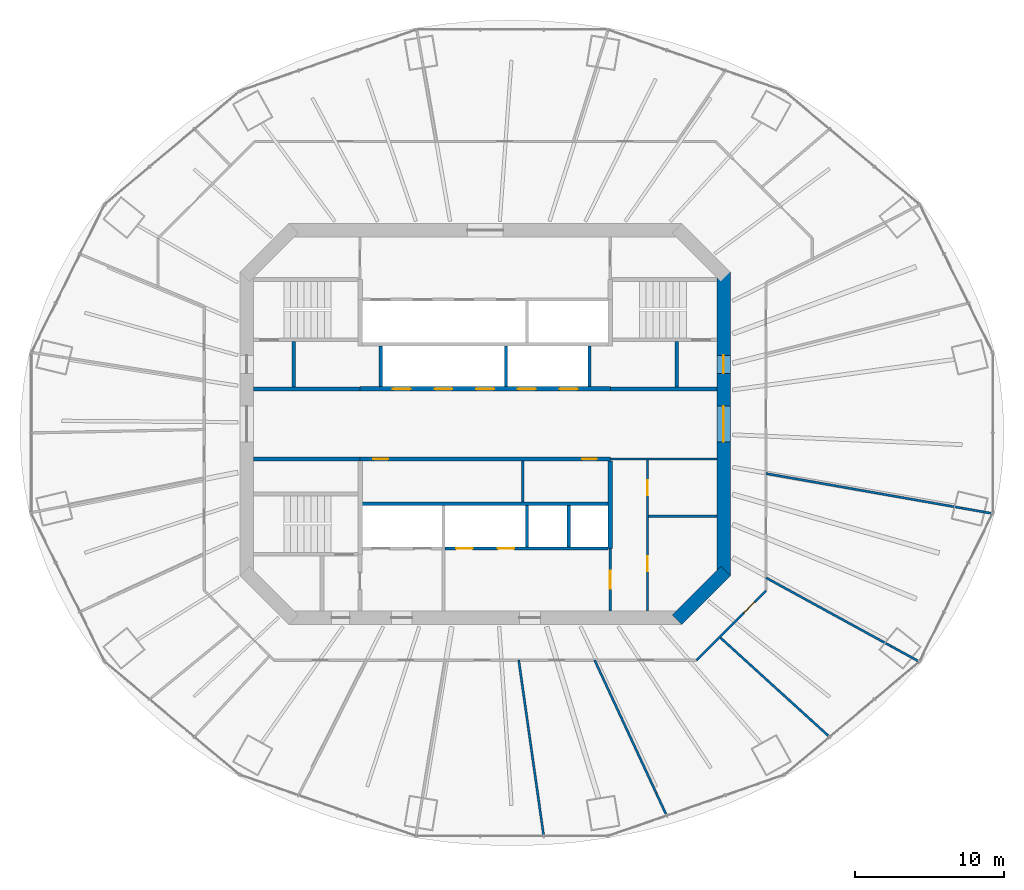
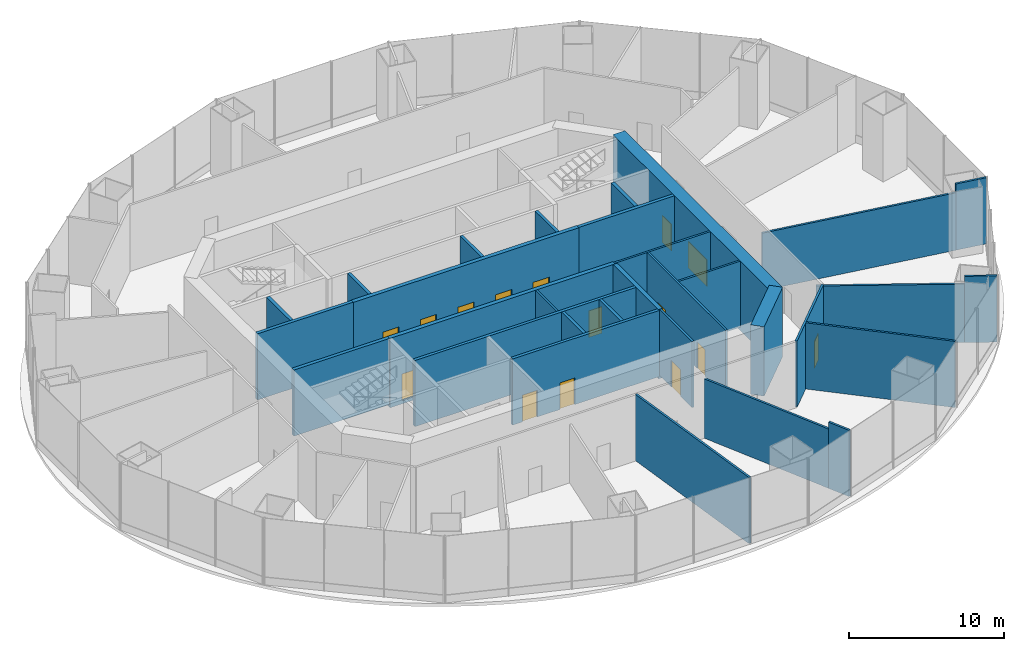
# One storey, part 12 of 15: 31 walls, 15 doors, 15 openings.
"""IFC4 building model written with IfcOpenShell, lengths in metres."""

from ifc_helpers import new_model, si_unit, direction, frame, frame_2d, origin, place, context, subcontext, project, spatial, rectangle, extrude, material, layer, layer_set, type_object, element, fill, save


model = new_model("IFC4")

# Units and contexts
model_context = context("Model", 3, precision=1e-05, world=origin(), true_north=direction((0.0, 1.0)))
body_context = subcontext(model_context, "Body", "Model", "MODEL_VIEW")
ifc_project = project(units=[si_unit("LENGTHUNIT", "METRE"), si_unit("AREAUNIT", "SQUARE_METRE"), si_unit("VOLUMEUNIT", "CUBIC_METRE"), si_unit("PLANEANGLEUNIT", "RADIAN"), si_unit("MASSUNIT", "GRAM", prefix="KILO")], contexts=[model_context])

# Site, building, storey
site_placement = place(None, origin())
site = spatial("IfcSite", under=ifc_project, at=site_placement, CompositionType="ELEMENT")
building_placement = place(site_placement, origin())
building = spatial("IfcBuilding", under=site, at=building_placement, Name="Marenthal Gate Tower", CompositionType="ELEMENT")
storey_placement = place(building_placement, frame((0.0, 0.0, 155.64990234375)))
storey = spatial("IfcBuildingStorey", under=building, at=storey_placement, Name="L33", CompositionType="ELEMENT", Elevation=155.64990234375)

# Wall
ifc_material_1 = material(Name="Concrete 60 MPa", Category="concrete")
ifc_layer_1 = layer(ifc_material_1, 0.89990234375)
ifc_layer_set_1 = layer_set([ifc_layer_1], Name="Core shear wall 900")
wall_type_1 = type_object("IfcWallType", Name="Core shear wall 900", PredefinedType="SHEAR", material=ifc_layer_set_1)
wall_1_placement = place(storey_placement, frame((12.8681640625, -13.1318359375, -0.25), z_axis=(0.0, 0.0, 1.0), x_axis=(0.707106781187, 0.707106781187, 0.0)))
element("IfcWall", 1, at=wall_1_placement, inside=storey, type_object=wall_type_1, Name="Core wall 01", PredefinedType="SHEAR", context=body_context, shape_type="SweptSolid", body=[
    extrude(rectangle(XDim=4.615478515625, YDim=0.89990234375, at=frame_2d((2.3076171875, 0.0))), origin(), (0.0, 0.0, 1.0), 5.47021484375),
])

# Wall, openings, doors
wall_2_placement = place(storey_placement, frame((16.0, -10.186279296875, -0.25), z_axis=(0.0, 0.0, 1.0), x_axis=(0.0, 1.0, 0.0)))
wall_2 = element("IfcWall", 2, at=wall_2_placement, inside=storey, type_object=wall_type_1, Name="Core wall 02", PredefinedType="SHEAR", context=body_context, shape_type="SweptSolid", body=[
    extrude(rectangle(XDim=20.37255859375, YDim=0.89990234375, at=frame_2d((10.186279296875, 0.0))), origin(), (0.0, 0.0, 1.0), 5.47021484375),
])
opening_1_placement = place(wall_2_placement, frame((8.986328125, 0.0, 0.25)))
opening_1 = element("IfcOpeningElement", 3, at=opening_1_placement, cuts=wall_2, Name="Opening D003.02", PredefinedType="OPENING", context=body_context, shape_type="SweptSolid", body=[
    extrude(rectangle(XDim=2.39990234375, YDim=2.10009765625, at=frame_2d((1.199951171875, 1.050048828125))), frame((0.0, 0.4599609375, 0.0), z_axis=(0.0, -1.0, 0.0), x_axis=(1.0, 0.0, 0.0)), (0.0, 0.0, 1.0), 0.919921875),
])
opening_2_placement = place(wall_2_placement, frame((13.58642578125, 0.0, 0.25)))
opening_2 = element("IfcOpeningElement", 4, at=opening_2_placement, cuts=wall_2, Name="Opening D001.05", PredefinedType="OPENING", context=body_context, shape_type="SweptSolid", body=[
    extrude(rectangle(XDim=1.199951171875, YDim=2.10009765625, at=frame_2d((0.60009765625, 1.050048828125))), frame((0.0, 0.4599609375, 0.0), z_axis=(0.0, -1.0, 0.0), x_axis=(1.0, 0.0, 0.0)), (0.0, 0.0, 1.0), 0.919921875),
])
ifc_material_2 = material(Name="Steel fire door", Category="steel")
door_type_1 = type_object("IfcDoorType", Name="Double fire door FD 45 2400 x 2100", OperationType="DOUBLE_DOOR_SINGLE_SWING", PredefinedType="DOOR", material=ifc_material_2)
door_1_placement = place(opening_1_placement, origin())
door_1 = element("IfcDoor", 5, at=door_1_placement, inside=storey, type_object=door_type_1, Name="Door D003.02", OperationType="DOUBLE_DOOR_SINGLE_SWING", OverallHeight=2.10009765625, OverallWidth=2.39990234375, PredefinedType="DOOR", context=body_context, shape_type="SweptSolid", body=[
    extrude(rectangle(XDim=2.39990234375, YDim=2.10009765625, at=frame_2d((1.199951171875, 1.050048828125))), frame((0.0, 0.02490234375, 0.0), z_axis=(0.0, -1.0, 0.0), x_axis=(1.0, 0.0, 0.0)), (0.0, 0.0, 1.0), 0.050048828125),
])
fill(opening_1, door_1)
ifc_material_3 = material(Name="Steel fire door", Category="steel")
door_type_2 = type_object("IfcDoorType", Name="Fire door FD 90 1200 x 2100", OperationType="NOTDEFINED", PredefinedType="DOOR", material=ifc_material_3)
door_2_placement = place(opening_2_placement, origin())
door_2 = element("IfcDoor", 6, at=door_2_placement, inside=storey, type_object=door_type_2, Name="Door D001.05", OperationType="SINGLE_SWING_RIGHT", OverallHeight=2.10009765625, OverallWidth=1.199951171875, PredefinedType="DOOR", context=body_context, shape_type="SweptSolid", body=[
    extrude(rectangle(XDim=1.199951171875, YDim=2.10009765625, at=frame_2d((0.60009765625, 1.050048828125))), frame((0.0, 0.02490234375, 0.0), z_axis=(0.0, -1.0, 0.0), x_axis=(1.0, 0.0, 0.0)), (0.0, 0.0, 1.0), 0.050048828125),
])
fill(opening_2, door_2)

ifc_material_4 = material(Name="Concrete 50 MPa", Category="concrete")
ifc_layer_2 = layer(ifc_material_4, 0.300048828125)
ifc_layer_set_2 = layer_set([ifc_layer_2], Name="Hoistway shear wall 300")
wall_type_2 = type_object("IfcWallType", Name="Hoistway shear wall 300", PredefinedType="SHEAR", material=ifc_layer_set_2)
wall_3_placement = place(storey_placement, frame((-8.39990234375, -2.35009765625, -0.25), z_axis=(0.0, 0.0, 1.0), x_axis=(1.0, 0.0, 0.0)))
wall_3 = element("IfcWall", 7, at=wall_3_placement, inside=storey, type_object=wall_type_2, Name="Hoistway wall 16", PredefinedType="SHEAR", context=body_context, shape_type="SweptSolid", body=[
    extrude(rectangle(XDim=16.7998046875, YDim=0.300048828125, at=frame_2d((8.39990234375, 0.0))), origin(), (0.0, 0.0, 1.0), 5.47021484375),
])
opening_3_placement = place(wall_3_placement, frame((0.89990234375, 0.0, 0.25)))
opening_3 = element("IfcOpeningElement", 8, at=opening_3_placement, cuts=wall_3, Name="Opening D005.01", PredefinedType="OPENING", context=body_context, shape_type="SweptSolid", body=[
    extrude(rectangle(XDim=1.0, YDim=2.10009765625, at=frame_2d((0.5, 1.050048828125))), frame((0.0, 0.16015625, 0.0), z_axis=(0.0, -1.0, 0.0), x_axis=(1.0, 0.0, 0.0)), (0.0, 0.0, 1.0), 0.320068359375),
])
opening_4_placement = place(wall_3_placement, frame((14.89990234375, 0.0, 0.25)))
opening_4 = element("IfcOpeningElement", 9, at=opening_4_placement, cuts=wall_3, Name="Opening D005.02", PredefinedType="OPENING", context=body_context, shape_type="SweptSolid", body=[
    extrude(rectangle(XDim=1.0, YDim=2.10009765625, at=frame_2d((0.5, 1.050048828125))), frame((0.0, 0.16015625, 0.0), z_axis=(0.0, -1.0, 0.0), x_axis=(1.0, 0.0, 0.0)), (0.0, 0.0, 1.0), 0.320068359375),
])
ifc_material_5 = material(Name="Steel fire door", Category="steel")
door_type_3 = type_object("IfcDoorType", Name="Fire door FD 45 1000 x 2100", OperationType="NOTDEFINED", PredefinedType="DOOR", material=ifc_material_5)
door_3_placement = place(opening_3_placement, frame((1.0, 0.0, 0.0), z_axis=(0.0, 0.0, 1.0), x_axis=(-1.0, 0.0, 0.0)))
door_3 = element("IfcDoor", 10, at=door_3_placement, inside=storey, type_object=door_type_3, Name="Door D005.01", OperationType="SINGLE_SWING_LEFT", OverallHeight=2.10009765625, OverallWidth=1.0, PredefinedType="DOOR", context=body_context, shape_type="SweptSolid", body=[
    extrude(rectangle(XDim=1.0, YDim=2.10009765625, at=frame_2d((0.5, 1.050048828125))), frame((0.0, 0.02490234375, 0.0), z_axis=(0.0, -1.0, 0.0), x_axis=(1.0, 0.0, 0.0)), (0.0, 0.0, 1.0), 0.050048828125),
])
fill(opening_3, door_3)
door_4_placement = place(opening_4_placement, frame((1.0, 0.0, 0.0), z_axis=(0.0, 0.0, 1.0), x_axis=(-1.0, 0.0, 0.0)))
door_4 = element("IfcDoor", 11, at=door_4_placement, inside=storey, type_object=door_type_3, Name="Door D005.02", OperationType="SINGLE_SWING_LEFT", OverallHeight=2.10009765625, OverallWidth=1.0, PredefinedType="DOOR", context=body_context, shape_type="SweptSolid", body=[
    extrude(rectangle(XDim=1.0, YDim=2.10009765625, at=frame_2d((0.5, 1.050048828125))), frame((0.0, 0.02490234375, 0.0), z_axis=(0.0, -1.0, 0.0), x_axis=(1.0, 0.0, 0.0)), (0.0, 0.0, 1.0), 0.050048828125),
])
fill(opening_4, door_4)

wall_4_placement = place(storey_placement, frame((-8.39990234375, 2.35009765625, -0.25), z_axis=(0.0, 0.0, 1.0), x_axis=(1.0, 0.0, 0.0)))
wall_4 = element("IfcWall", 12, at=wall_4_placement, inside=storey, type_object=wall_type_2, Name="Hoistway wall 19", PredefinedType="SHEAR", context=body_context, shape_type="SweptSolid", body=[
    extrude(rectangle(XDim=16.7998046875, YDim=0.300048828125, at=frame_2d((8.39990234375, 0.0))), origin(), (0.0, 0.0, 1.0), 5.47021484375),
])
opening_5_placement = place(wall_4_placement, frame((2.199951171875, 0.0, 0.25)))
opening_5 = element("IfcOpeningElement", 13, at=opening_5_placement, cuts=wall_4, Name="Opening LD-MP1", PredefinedType="OPENING", context=body_context, shape_type="SweptSolid", body=[
    extrude(rectangle(XDim=1.199951171875, YDim=2.10009765625, at=frame_2d((0.60009765625, 1.050048828125))), frame((0.0, 0.16015625, 0.0), z_axis=(0.0, -1.0, 0.0), x_axis=(1.0, 0.0, 0.0)), (0.0, 0.0, 1.0), 0.320068359375),
])
opening_6_placement = place(wall_4_placement, frame((5.0, 0.0, 0.25)))
opening_6 = element("IfcOpeningElement", 14, at=opening_6_placement, cuts=wall_4, Name="Opening LD-MP2", PredefinedType="OPENING", context=body_context, shape_type="SweptSolid", body=[
    extrude(rectangle(XDim=1.199951171875, YDim=2.10009765625, at=frame_2d((0.60009765625, 1.050048828125))), frame((0.0, 0.16015625, 0.0), z_axis=(0.0, -1.0, 0.0), x_axis=(1.0, 0.0, 0.0)), (0.0, 0.0, 1.0), 0.320068359375),
])
opening_7_placement = place(wall_4_placement, frame((7.800048828125, 0.0, 0.25)))
opening_7 = element("IfcOpeningElement", 15, at=opening_7_placement, cuts=wall_4, Name="Opening LD-MP3", PredefinedType="OPENING", context=body_context, shape_type="SweptSolid", body=[
    extrude(rectangle(XDim=1.199951171875, YDim=2.10009765625, at=frame_2d((0.60009765625, 1.050048828125))), frame((0.0, 0.16015625, 0.0), z_axis=(0.0, -1.0, 0.0), x_axis=(1.0, 0.0, 0.0)), (0.0, 0.0, 1.0), 0.320068359375),
])
opening_8_placement = place(wall_4_placement, frame((10.60009765625, 0.0, 0.25)))
opening_8 = element("IfcOpeningElement", 16, at=opening_8_placement, cuts=wall_4, Name="Opening LD-MP4", PredefinedType="OPENING", context=body_context, shape_type="SweptSolid", body=[
    extrude(rectangle(XDim=1.199951171875, YDim=2.10009765625, at=frame_2d((0.60009765625, 1.050048828125))), frame((0.0, 0.16015625, 0.0), z_axis=(0.0, -1.0, 0.0), x_axis=(1.0, 0.0, 0.0)), (0.0, 0.0, 1.0), 0.320068359375),
])
opening_9_placement = place(wall_4_placement, frame((13.39990234375, 0.0, 0.25)))
opening_9 = element("IfcOpeningElement", 17, at=opening_9_placement, cuts=wall_4, Name="Opening LD-MP5", PredefinedType="OPENING", context=body_context, shape_type="SweptSolid", body=[
    extrude(rectangle(XDim=1.199951171875, YDim=2.10009765625, at=frame_2d((0.60009765625, 1.050048828125))), frame((0.0, 0.16015625, 0.0), z_axis=(0.0, -1.0, 0.0), x_axis=(1.0, 0.0, 0.0)), (0.0, 0.0, 1.0), 0.320068359375),
])
ifc_material_6 = material(Name="Stainless steel sliding door", Category="steel")
door_type_4 = type_object("IfcDoorType", Name="Lift landing door FD 90 1200 x 2100", OperationType="DOUBLE_DOOR_SLIDING", PredefinedType="DOOR", material=ifc_material_6)
door_5_placement = place(opening_5_placement, origin())
door_5 = element("IfcDoor", 18, at=door_5_placement, inside=storey, type_object=door_type_4, Name="Lift landing door MP1", OperationType="DOUBLE_DOOR_SLIDING", OverallHeight=2.10009765625, OverallWidth=1.199951171875, PredefinedType="DOOR", context=body_context, shape_type="SweptSolid", body=[
    extrude(rectangle(XDim=1.199951171875, YDim=2.10009765625, at=frame_2d((0.60009765625, 1.050048828125))), frame((0.0, 0.02490234375, 0.0), z_axis=(0.0, -1.0, 0.0), x_axis=(1.0, 0.0, 0.0)), (0.0, 0.0, 1.0), 0.050048828125),
])
fill(opening_5, door_5)
door_6_placement = place(opening_6_placement, origin())
door_6 = element("IfcDoor", 19, at=door_6_placement, inside=storey, type_object=door_type_4, Name="Lift landing door MP2", OperationType="DOUBLE_DOOR_SLIDING", OverallHeight=2.10009765625, OverallWidth=1.199951171875, PredefinedType="DOOR", context=body_context, shape_type="SweptSolid", body=[
    extrude(rectangle(XDim=1.199951171875, YDim=2.10009765625, at=frame_2d((0.60009765625, 1.050048828125))), frame((0.0, 0.02490234375, 0.0), z_axis=(0.0, -1.0, 0.0), x_axis=(1.0, 0.0, 0.0)), (0.0, 0.0, 1.0), 0.050048828125),
])
fill(opening_6, door_6)
door_7_placement = place(opening_7_placement, origin())
door_7 = element("IfcDoor", 20, at=door_7_placement, inside=storey, type_object=door_type_4, Name="Lift landing door MP3", OperationType="DOUBLE_DOOR_SLIDING", OverallHeight=2.10009765625, OverallWidth=1.199951171875, PredefinedType="DOOR", context=body_context, shape_type="SweptSolid", body=[
    extrude(rectangle(XDim=1.199951171875, YDim=2.10009765625, at=frame_2d((0.60009765625, 1.050048828125))), frame((0.0, 0.02490234375, 0.0), z_axis=(0.0, -1.0, 0.0), x_axis=(1.0, 0.0, 0.0)), (0.0, 0.0, 1.0), 0.050048828125),
])
fill(opening_7, door_7)
door_8_placement = place(opening_8_placement, origin())
door_8 = element("IfcDoor", 21, at=door_8_placement, inside=storey, type_object=door_type_4, Name="Lift landing door MP4", OperationType="DOUBLE_DOOR_SLIDING", OverallHeight=2.10009765625, OverallWidth=1.199951171875, PredefinedType="DOOR", context=body_context, shape_type="SweptSolid", body=[
    extrude(rectangle(XDim=1.199951171875, YDim=2.10009765625, at=frame_2d((0.60009765625, 1.050048828125))), frame((0.0, 0.02490234375, 0.0), z_axis=(0.0, -1.0, 0.0), x_axis=(1.0, 0.0, 0.0)), (0.0, 0.0, 1.0), 0.050048828125),
])
fill(opening_8, door_8)
door_9_placement = place(opening_9_placement, origin())
door_9 = element("IfcDoor", 22, at=door_9_placement, inside=storey, type_object=door_type_4, Name="Lift landing door MP5", OperationType="DOUBLE_DOOR_SLIDING", OverallHeight=2.10009765625, OverallWidth=1.199951171875, PredefinedType="DOOR", context=body_context, shape_type="SweptSolid", body=[
    extrude(rectangle(XDim=1.199951171875, YDim=2.10009765625, at=frame_2d((0.60009765625, 1.050048828125))), frame((0.0, 0.02490234375, 0.0), z_axis=(0.0, -1.0, 0.0), x_axis=(1.0, 0.0, 0.0)), (0.0, 0.0, 1.0), 0.050048828125),
])
fill(opening_9, door_9)

# Wall
wall_5_placement = place(storey_placement, frame((8.39990234375, -8.35009765625, -0.25), z_axis=(0.0, 0.0, 1.0), x_axis=(0.0, 1.0, 0.0)))
element("IfcWall", 23, at=wall_5_placement, inside=storey, type_object=wall_type_2, Name="Hoistway wall 44", PredefinedType="SHEAR", context=body_context, shape_type="SweptSolid", body=[
    extrude(rectangle(XDim=5.85009765625, YDim=0.300048828125, at=frame_2d((2.925048828125, 0.0))), origin(), (0.0, 0.0, 1.0), 5.47021484375),
])

# Wall, openings, doors
ifc_material_7 = material(Name="Concrete 40 MPa", Category="concrete")
ifc_layer_3 = layer(ifc_material_7, 0.219970703125)
ifc_layer_set_3 = layer_set([ifc_layer_3], Name="Hoistway wall 220")
wall_type_3 = type_object("IfcWallType", Name="Hoistway wall 220", PredefinedType="STANDARD", material=ifc_layer_set_3)
wall_6_placement = place(storey_placement, frame((-2.68994140625, -8.35009765625, 0.0), z_axis=(0.0, 0.0, 1.0), x_axis=(1.0, 0.0, 0.0)))
wall_6 = element("IfcWall", 24, at=wall_6_placement, inside=storey, type_object=wall_type_3, Name="Hoistway wall 11", PredefinedType="STANDARD", context=body_context, shape_type="SweptSolid", body=[
    extrude(rectangle(XDim=10.93994140625, YDim=0.219970703125, at=frame_2d((5.469970703125, 0.0))), origin(), (0.0, 0.0, 1.0), 5.22021484375),
])
opening_10_placement = place(wall_6_placement, frame((0.739990234375, 0.0, 0.0)))
opening_10 = element("IfcOpeningElement", 25, at=opening_10_placement, cuts=wall_6, Name="Opening LD-SV1", PredefinedType="OPENING", context=body_context, shape_type="SweptSolid", body=[
    extrude(rectangle(XDim=1.10009765625, YDim=2.10009765625, at=frame_2d((0.550048828125, 1.050048828125))), frame((0.0, 0.1201171875, 0.0), z_axis=(0.0, -1.0, 0.0), x_axis=(1.0, 0.0, 0.0)), (0.0, 0.0, 1.0), 0.239990234375),
])
opening_11_placement = place(wall_6_placement, frame((3.5400390625, 0.0, 0.0)))
opening_11 = element("IfcOpeningElement", 26, at=opening_11_placement, cuts=wall_6, Name="Opening LD-SV2", PredefinedType="OPENING", context=body_context, shape_type="SweptSolid", body=[
    extrude(rectangle(XDim=1.10009765625, YDim=2.10009765625, at=frame_2d((0.550048828125, 1.050048828125))), frame((0.0, 0.1201171875, 0.0), z_axis=(0.0, -1.0, 0.0), x_axis=(1.0, 0.0, 0.0)), (0.0, 0.0, 1.0), 0.239990234375),
])
ifc_material_8 = material(Name="Stainless steel sliding door", Category="steel")
door_type_5 = type_object("IfcDoorType", Name="Lift landing door FD 90 1100 x 2100", OperationType="DOUBLE_DOOR_SLIDING", PredefinedType="DOOR", material=ifc_material_8)
door_10_placement = place(opening_10_placement, origin())
door_10 = element("IfcDoor", 27, at=door_10_placement, inside=storey, type_object=door_type_5, Name="Lift landing door SV1", OperationType="DOUBLE_DOOR_SLIDING", OverallHeight=2.10009765625, OverallWidth=1.10009765625, PredefinedType="DOOR", context=body_context, shape_type="SweptSolid", body=[
    extrude(rectangle(XDim=1.10009765625, YDim=2.10009765625, at=frame_2d((0.550048828125, 1.050048828125))), frame((0.0, 0.02490234375, 0.0), z_axis=(0.0, -1.0, 0.0), x_axis=(1.0, 0.0, 0.0)), (0.0, 0.0, 1.0), 0.050048828125),
])
fill(opening_10, door_10)
door_11_placement = place(opening_11_placement, origin())
door_11 = element("IfcDoor", 28, at=door_11_placement, inside=storey, type_object=door_type_5, Name="Lift landing door SV2", OperationType="DOUBLE_DOOR_SLIDING", OverallHeight=2.10009765625, OverallWidth=1.10009765625, PredefinedType="DOOR", context=body_context, shape_type="SweptSolid", body=[
    extrude(rectangle(XDim=1.10009765625, YDim=2.10009765625, at=frame_2d((0.550048828125, 1.050048828125))), frame((0.0, 0.02490234375, 0.0), z_axis=(0.0, -1.0, 0.0), x_axis=(1.0, 0.0, 0.0)), (0.0, 0.0, 1.0), 0.050048828125),
])
fill(opening_11, door_11)

# Walls
wall_7_placement = place(storey_placement, frame((-8.25, -5.35009765625, 0.0), z_axis=(0.0, 0.0, 1.0), x_axis=(1.0, 0.0, 0.0)))
element("IfcWall", 29, at=wall_7_placement, inside=storey, type_object=wall_type_3, Name="Hoistway wall 13", PredefinedType="STANDARD", context=body_context, shape_type="SweptSolid", body=[
    extrude(rectangle(XDim=16.5, YDim=0.219970703125, at=frame_2d((8.25, 0.0))), origin(), (0.0, 0.0, 1.0), 5.22021484375),
])
for number, where, z_axis, x_axis, name in (
    (30, (-7.0, 2.5, 0.0), (0.0, 0.0, 1.0), (0.0, 1.0, 0.0), "Hoistway wall 34"),
    (31, (1.39990234375, 2.5, 0.0), (0.0, 0.0, 1.0), (0.0, 1.0, 0.0), "Hoistway wall 37"),
):
    element("IfcWall", number, at=place(storey_placement, frame(where, z_axis=z_axis, x_axis=x_axis)), inside=storey, type_object=wall_type_3, Name=name, PredefinedType="STANDARD", context=body_context, shape_type="SweptSolid", body=[
        extrude(rectangle(XDim=2.739990234375, YDim=0.219970703125, at=frame_2d((1.3701171875, 0.0))), origin(), (0.0, 0.0, 1.0), 5.22021484375),
    ])
for number, where, z_axis, x_axis, name in (
    (32, (2.800048828125, -8.239990234375, 0.0), (0.0, 0.0, 1.0), (0.0, 1.0, 0.0), "Hoistway wall 39"),
    (33, (5.60009765625, -8.239990234375, 0.0), (0.0, 0.0, 1.0), (0.0, 1.0, 0.0), "Hoistway wall 41"),
):
    element("IfcWall", number, at=place(storey_placement, frame(where, z_axis=z_axis, x_axis=x_axis)), inside=storey, type_object=wall_type_3, Name=name, PredefinedType="STANDARD", context=body_context, shape_type="SweptSolid", body=[
        extrude(rectangle(XDim=2.780029296875, YDim=0.219970703125, at=frame_2d((1.39013671875, 0.0))), origin(), (0.0, 0.0, 1.0), 5.22021484375),
    ])
wall_8_placement = place(storey_placement, frame((7.0, 2.5, 0.0), z_axis=(0.0, 0.0, 1.0), x_axis=(0.0, 1.0, 0.0)))
element("IfcWall", 34, at=wall_8_placement, inside=storey, type_object=wall_type_3, Name="Hoistway wall 42", PredefinedType="STANDARD", context=body_context, shape_type="SweptSolid", body=[
    extrude(rectangle(XDim=2.739990234375, YDim=0.219970703125, at=frame_2d((1.3701171875, 0.0))), origin(), (0.0, 0.0, 1.0), 5.22021484375),
])
ifc_material_9 = material(Name="Gypsum board on steel studs", Category="steel")
ifc_layer_4 = layer(ifc_material_9, 0.14990234375)
ifc_layer_set_4 = layer_set([ifc_layer_4], Name="Partition 150")
wall_type_4 = type_object("IfcWallType", Name="Partition 150", PredefinedType="PARTITIONING", material=ifc_layer_set_4)
wall_9_placement = place(storey_placement, frame((10.97509765625, -6.199951171875, 0.0), z_axis=(0.0, 0.0, 1.0), x_axis=(1.0, 0.0, 0.0)))
element("IfcWall", 35, at=wall_9_placement, inside=storey, type_object=wall_type_4, Name="Partition wall 12", PredefinedType="PARTITIONING", context=body_context, shape_type="SweptSolid", body=[
    extrude(rectangle(XDim=4.574951171875, YDim=0.14990234375, at=frame_2d((2.28759765625, 0.0))), origin(), (0.0, 0.0, 1.0), 5.22021484375),
])
wall_10_placement = place(storey_placement, frame((8.39990234375, -2.35009765625, 0.0), z_axis=(0.0, 0.0, 1.0), x_axis=(1.0, 0.0, 0.0)))
element("IfcWall", 36, at=wall_10_placement, inside=storey, type_object=wall_type_4, Name="Partition wall 17", PredefinedType="PARTITIONING", context=body_context, shape_type="SweptSolid", body=[
    extrude(rectangle(XDim=7.150146484375, YDim=0.14990234375, at=frame_2d((3.5751953125, 0.0))), origin(), (0.0, 0.0, 1.0), 5.22021484375),
])
wall_11_placement = place(storey_placement, frame((2.52001953125, -5.239990234375, 0.0), z_axis=(0.0, 0.0, 1.0), x_axis=(0.0, 1.0, 0.0)))
element("IfcWall", 37, at=wall_11_placement, inside=storey, type_object=wall_type_4, Name="Partition wall 38", PredefinedType="PARTITIONING", context=body_context, shape_type="SweptSolid", body=[
    extrude(rectangle(XDim=2.739990234375, YDim=0.14990234375, at=frame_2d((1.3701171875, 0.0))), origin(), (0.0, 0.0, 1.0), 5.22021484375),
])

# Wall, opening, door
wall_12_placement = place(storey_placement, frame((8.39990234375, -12.550048828125, 0.0), z_axis=(0.0, 0.0, 1.0), x_axis=(0.0, 1.0, 0.0)))
wall_12 = element("IfcWall", 38, at=wall_12_placement, inside=storey, type_object=wall_type_4, Name="Partition wall 43", PredefinedType="PARTITIONING", context=body_context, shape_type="SweptSolid", body=[
    extrude(rectangle(XDim=4.199951171875, YDim=0.14990234375, at=frame_2d((2.10009765625, 0.0))), origin(), (0.0, 0.0, 1.0), 5.22021484375),
])
opening_12_placement = place(wall_12_placement, frame((1.5, 0.0, 0.0)))
opening_12 = element("IfcOpeningElement", 39, at=opening_12_placement, cuts=wall_12, Name="Opening D006.01", PredefinedType="OPENING", context=body_context, shape_type="SweptSolid", body=[
    extrude(rectangle(XDim=1.199951171875, YDim=2.10009765625, at=frame_2d((0.60009765625, 1.050048828125))), frame((0.0, 0.0849609375, 0.0), z_axis=(0.0, -1.0, 0.0), x_axis=(1.0, 0.0, 0.0)), (0.0, 0.0, 1.0), 0.169921875),
])
ifc_material_10 = material(Name="Steel fire door", Category="steel")
door_type_6 = type_object("IfcDoorType", Name="Fire door FD 45 1200 x 2100", OperationType="NOTDEFINED", PredefinedType="DOOR", material=ifc_material_10)
door_12_placement = place(opening_12_placement, frame((1.199951171875, 0.0, 0.0), z_axis=(0.0, 0.0, 1.0), x_axis=(-1.0, 0.0, 0.0)))
door_12 = element("IfcDoor", 40, at=door_12_placement, inside=storey, type_object=door_type_6, Name="Door D006.01", OperationType="SINGLE_SWING_LEFT", OverallHeight=2.10009765625, OverallWidth=1.199951171875, PredefinedType="DOOR", context=body_context, shape_type="SweptSolid", body=[
    extrude(rectangle(XDim=1.199951171875, YDim=2.10009765625, at=frame_2d((0.60009765625, 1.050048828125))), frame((0.0, 0.02490234375, 0.0), z_axis=(0.0, -1.0, 0.0), x_axis=(1.0, 0.0, 0.0)), (0.0, 0.0, 1.0), 0.050048828125),
])
fill(opening_12, door_12)

# Wall, openings, doors
wall_13_placement = place(storey_placement, frame((10.89990234375, -12.550048828125, 0.0), z_axis=(0.0, 0.0, 1.0), x_axis=(0.0, 1.0, 0.0)))
wall_13 = element("IfcWall", 41, at=wall_13_placement, inside=storey, type_object=wall_type_4, Name="Partition wall 48", PredefinedType="PARTITIONING", context=body_context, shape_type="SweptSolid", body=[
    extrude(rectangle(XDim=10.125, YDim=0.14990234375, at=frame_2d((5.0625, 0.0))), origin(), (0.0, 0.0, 1.0), 5.22021484375),
])
opening_13_placement = place(wall_13_placement, frame((7.77490234375, 0.0, 0.0)))
opening_13 = element("IfcOpeningElement", 42, at=opening_13_placement, cuts=wall_13, Name="Opening D005.05", PredefinedType="OPENING", context=body_context, shape_type="SweptSolid", body=[
    extrude(rectangle(XDim=1.0, YDim=2.10009765625, at=frame_2d((0.5, 1.050048828125))), frame((0.0, 0.0849609375, 0.0), z_axis=(0.0, -1.0, 0.0), x_axis=(1.0, 0.0, 0.0)), (0.0, 0.0, 1.0), 0.169921875),
])
opening_14_placement = place(wall_13_placement, frame((2.675048828125, 0.0, 0.0)))
opening_14 = element("IfcOpeningElement", 43, at=opening_14_placement, cuts=wall_13, Name="Opening D005.06", PredefinedType="OPENING", context=body_context, shape_type="SweptSolid", body=[
    extrude(rectangle(XDim=1.0, YDim=2.10009765625, at=frame_2d((0.5, 1.050048828125))), frame((0.0, 0.0849609375, 0.0), z_axis=(0.0, -1.0, 0.0), x_axis=(1.0, 0.0, 0.0)), (0.0, 0.0, 1.0), 0.169921875),
])
door_13_placement = place(opening_13_placement, frame((1.0, 0.0, 0.0), z_axis=(0.0, 0.0, 1.0), x_axis=(-1.0, 0.0, 0.0)))
door_13 = element("IfcDoor", 44, at=door_13_placement, inside=storey, type_object=door_type_3, Name="Door D005.05", OperationType="SINGLE_SWING_LEFT", OverallHeight=2.10009765625, OverallWidth=1.0, PredefinedType="DOOR", context=body_context, shape_type="SweptSolid", body=[
    extrude(rectangle(XDim=1.0, YDim=2.10009765625, at=frame_2d((0.5, 1.050048828125))), frame((0.0, 0.02490234375, 0.0), z_axis=(0.0, -1.0, 0.0), x_axis=(1.0, 0.0, 0.0)), (0.0, 0.0, 1.0), 0.050048828125),
])
fill(opening_13, door_13)
door_14_placement = place(opening_14_placement, frame((1.0, 0.0, 0.0), z_axis=(0.0, 0.0, 1.0), x_axis=(-1.0, 0.0, 0.0)))
door_14 = element("IfcDoor", 45, at=door_14_placement, inside=storey, type_object=door_type_3, Name="Door D005.06", OperationType="SINGLE_SWING_LEFT", OverallHeight=2.10009765625, OverallWidth=1.0, PredefinedType="DOOR", context=body_context, shape_type="SweptSolid", body=[
    extrude(rectangle(XDim=1.0, YDim=2.10009765625, at=frame_2d((0.5, 1.050048828125))), frame((0.0, 0.02490234375, 0.0), z_axis=(0.0, -1.0, 0.0), x_axis=(1.0, 0.0, 0.0)), (0.0, 0.0, 1.0), 0.050048828125),
])
fill(opening_14, door_14)

# Wall, opening, door
wall_14_placement = place(storey_placement, frame((14.180419921875, -15.85009765625, 0.0), z_axis=(0.0, 0.0, 1.0), x_axis=(0.707106781187, 0.707106781187, 0.0)))
wall_14 = element("IfcWall", 46, at=wall_14_placement, inside=storey, type_object=wall_type_4, Name="Partition wall 56", PredefinedType="PARTITIONING", context=body_context, shape_type="SweptSolid", body=[
    extrude(rectangle(XDim=6.60400390625, YDim=0.14990234375, at=frame_2d((3.302001953125, 0.0))), origin(), (0.0, 0.0, 1.0), 5.22021484375),
])
opening_15_placement = place(wall_14_placement, frame((4.505615234375, 0.0, 0.0)))
opening_15 = element("IfcOpeningElement", 47, at=opening_15_placement, cuts=wall_14, Name="Opening D012.20", PredefinedType="OPENING", context=body_context, shape_type="SweptSolid", body=[
    extrude(rectangle(XDim=1.0, YDim=2.10009765625, at=frame_2d((0.5, 1.050048828125))), frame((0.0, 0.0849609375, 0.0), z_axis=(0.0, -1.0, 0.0), x_axis=(1.0, 0.0, 0.0)), (0.0, 0.0, 1.0), 0.169921875),
])
ifc_material_11 = material(Name="Timber door", Category="wood")
door_type_7 = type_object("IfcDoorType", Name="Door 1000 x 2100", OperationType="NOTDEFINED", PredefinedType="DOOR", material=ifc_material_11)
door_15_placement = place(opening_15_placement, frame((1.0, 0.0, 0.0), z_axis=(0.0, 0.0, 1.0), x_axis=(-1.0, 0.0, 0.0)))
door_15 = element("IfcDoor", 48, at=door_15_placement, inside=storey, type_object=door_type_7, Name="Door D012.20", OperationType="SINGLE_SWING_LEFT", OverallHeight=2.10009765625, OverallWidth=1.0, PredefinedType="DOOR", context=body_context, shape_type="SweptSolid", body=[
    extrude(rectangle(XDim=1.0, YDim=2.10009765625, at=frame_2d((0.5, 1.050048828125))), frame((0.0, 0.02490234375, 0.0), z_axis=(0.0, -1.0, 0.0), x_axis=(1.0, 0.0, 0.0)), (0.0, 0.0, 1.0), 0.050048828125),
])
fill(opening_15, door_15)

# Walls
wall_15_placement = place(storey_placement, frame((3.926513671875, -27.641845703125, 0.0), z_axis=(0.0, 0.0, 1.0), x_axis=(-0.140640726518, 0.990060698162, 0.0)))
element("IfcWall", 49, at=wall_15_placement, inside=storey, type_object=wall_type_4, Name="Partition wall 66", PredefinedType="PARTITIONING", context=body_context, shape_type="SweptSolid", body=[
    extrude(rectangle(XDim=11.91015625, YDim=0.14990234375, at=frame_2d((5.955078125, 0.0))), origin(), (0.0, 0.0, 1.0), 5.22021484375),
])
wall_16_placement = place(storey_placement, frame((12.17236328125, -26.26708984375, 0.0), z_axis=(0.0, 0.0, 1.0), x_axis=(-0.420455033989, 0.907313377171, 0.0)))
element("IfcWall", 50, at=wall_16_placement, inside=storey, type_object=wall_type_4, Name="Partition wall 68", PredefinedType="PARTITIONING", context=body_context, shape_type="SweptSolid", body=[
    extrude(rectangle(XDim=1.639892578125, YDim=0.14990234375, at=frame_2d((0.81982421875, 0.0))), origin(), (0.0, 0.0, 1.0), 5.22021484375),
])
wall_17_placement = place(storey_placement, frame((11.48291015625, -24.779296875, 0.0), z_axis=(0.0, 0.0, 1.0), x_axis=(-0.420442084923, 0.907319377742, 0.0)))
element("IfcWall", 51, at=wall_17_placement, inside=storey, type_object=wall_type_4, Name="Partition wall 89", PredefinedType="PARTITIONING", context=body_context, shape_type="SweptSolid", body=[
    extrude(rectangle(XDim=9.84130859375, YDim=0.14990234375, at=frame_2d((4.920654296875, 0.0))), origin(), (0.0, 0.0, 1.0), 4.676025390625),
])
wall_18_placement = place(storey_placement, frame((23.095947265625, -20.984375, 0.0), z_axis=(0.0, 0.0, 1.0), x_axis=(-0.740122200338, 0.672472399856, 0.0)))
element("IfcWall", 52, at=wall_18_placement, inside=storey, type_object=wall_type_4, Name="Partition wall 72", PredefinedType="PARTITIONING", context=body_context, shape_type="SweptSolid", body=[
    extrude(rectangle(XDim=9.946044921875, YDim=0.14990234375, at=frame_2d((4.97314453125, 0.0))), origin(), (0.0, 0.0, 1.0), 5.22021484375),
])
wall_19_placement = place(storey_placement, frame((29.11279296875, -15.938232421875, 0.0), z_axis=(0.0, 0.0, 1.0), x_axis=(-0.877182195779, 0.480157677652, 0.0)))
element("IfcWall", 53, at=wall_19_placement, inside=storey, type_object=wall_type_4, Name="Partition wall 73", PredefinedType="PARTITIONING", context=body_context, shape_type="SweptSolid", body=[
    extrude(rectangle(XDim=2.108642578125, YDim=0.14990234375, at=frame_2d((1.05419921875, 0.0))), origin(), (0.0, 0.0, 1.0), 5.22021484375),
])
wall_20_placement = place(storey_placement, frame((27.26318359375, -14.92578125, 0.0), z_axis=(0.0, 0.0, 1.0), x_axis=(-0.877149368701, 0.480217643352, 0.0)))
element("IfcWall", 54, at=wall_20_placement, inside=storey, type_object=wall_type_4, Name="Partition wall 90", PredefinedType="PARTITIONING", context=body_context, shape_type="SweptSolid", body=[
    extrude(rectangle(XDim=9.59130859375, YDim=0.14990234375, at=frame_2d((4.795654296875, 0.0))), origin(), (0.0, 0.0, 1.0), 4.608154296875),
])
wall_21_placement = place(storey_placement, frame((34.033203125, -6.006103515625, 0.0), z_axis=(0.0, 0.0, 1.0), x_axis=(-0.984792910243, 0.173732334166, 0.0)))
element("IfcWall", 55, at=wall_21_placement, inside=storey, type_object=wall_type_4, Name="Partition wall 75", PredefinedType="PARTITIONING", context=body_context, shape_type="SweptSolid", body=[
    extrude(rectangle(XDim=2.102294921875, YDim=0.14990234375, at=frame_2d((1.05126953125, 0.0))), origin(), (0.0, 0.0, 1.0), 5.22021484375),
])
wall_22_placement = place(storey_placement, frame((31.962890625, -5.640869140625, 0.0), z_axis=(0.0, 0.0, 1.0), x_axis=(-0.984781159157, 0.17379893144, 0.0)))
element("IfcWall", 56, at=wall_22_placement, inside=storey, type_object=wall_type_4, Name="Partition wall 92", PredefinedType="PARTITIONING", context=body_context, shape_type="SweptSolid", body=[
    extrude(rectangle(XDim=13.3154296875, YDim=0.14990234375, at=frame_2d((6.65771484375, 0.0))), origin(), (0.0, 0.0, 1.0), 4.527099609375),
])
ifc_material_12 = material(Name="Concrete 40 MPa", Category="concrete")
ifc_layer_5 = layer(ifc_material_12, 0.25)
ifc_layer_set_5 = layer_set([ifc_layer_5], Name="Stair enclosure wall 250")
wall_type_5 = type_object("IfcWallType", Name="Stair enclosure wall 250", PredefinedType="STANDARD", material=ifc_layer_set_5)
for number, where, z_axis, x_axis, name in (
    (57, (-15.550048828125, -2.35009765625, 0.0), (0.0, 0.0, 1.0), (1.0, 0.0, 0.0), "Stair wall 15"),
    (58, (-15.550048828125, 2.35009765625, 0.0), (0.0, 0.0, 1.0), (1.0, 0.0, 0.0), "Stair wall 18"),
    (59, (8.39990234375, 2.35009765625, 0.0), (0.0, 0.0, 1.0), (1.0, 0.0, 0.0), "Stair wall 20"),
):
    element("IfcWall", number, at=place(storey_placement, frame(where, z_axis=z_axis, x_axis=x_axis)), inside=storey, type_object=wall_type_5, Name=name, PredefinedType="STANDARD", context=body_context, shape_type="SweptSolid", body=[
        extrude(rectangle(XDim=7.150146484375, YDim=0.25, at=frame_2d((3.5751953125, 0.0))), origin(), (0.0, 0.0, 1.0), 5.22021484375),
    ])
for number, where, z_axis, x_axis, name in (
    (60, (-12.85009765625, 2.47509765625, 0.0), (0.0, 0.0, 1.0), (0.0, 1.0, 0.0), "Stair wall 27"),
    (61, (12.85009765625, 2.47509765625, 0.0), (0.0, 0.0, 1.0), (0.0, 1.0, 0.0), "Stair wall 49"),
):
    element("IfcWall", number, at=place(storey_placement, frame(where, z_axis=z_axis, x_axis=x_axis)), inside=storey, type_object=wall_type_5, Name=name, PredefinedType="STANDARD", context=body_context, shape_type="SweptSolid", body=[
        extrude(rectangle(XDim=3.0498046875, YDim=0.25, at=frame_2d((1.52490234375, 0.0))), origin(), (0.0, 0.0, 1.0), 5.22021484375),
    ])

save(model, "model.ifc")
